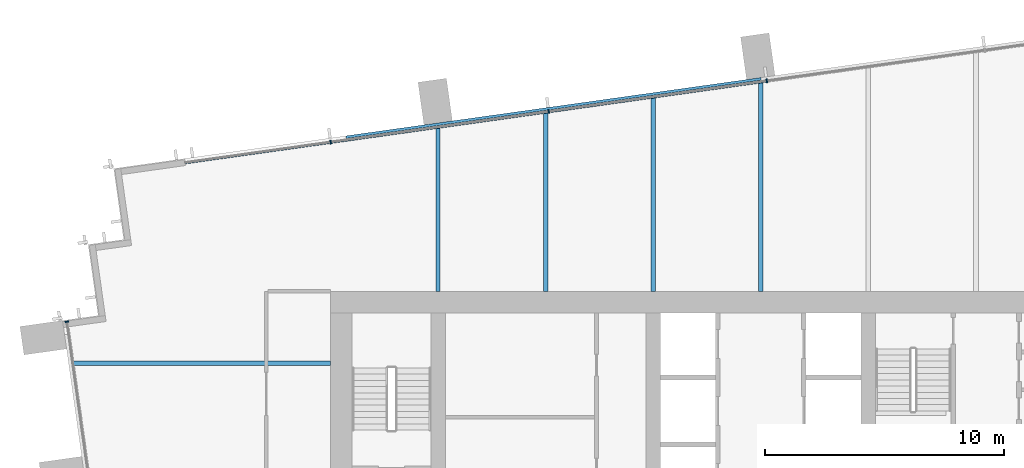
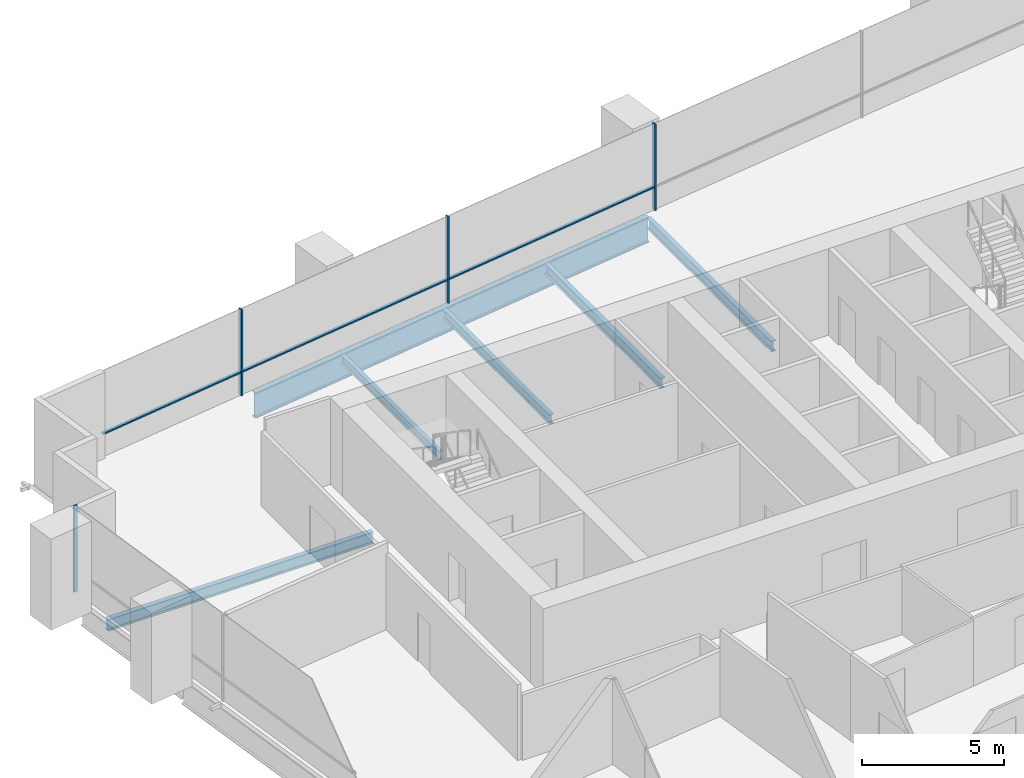
# One storey, part 6 of 14: 7 members, 6 beams, 2 elements without a shape of their own.
"""IFC4 building model written with IfcOpenShell, lengths in metres."""

import ifcopenshell
import ifcopenshell.guid

model = None  # the IFC model being written
_history = None  # IfcOwnerHistory: only IFC2X3 demands one
_inside = {}  # id of a spatial element -> (the spatial element, [elements in it])
_under = {}  # id of a project, library or spatial element -> (it, [spatial elements below it])
_declared = {}  # id of a project -> (the project, [libraries it declares])
_typed = {}  # id of a type object -> (the type object, [elements of that type])
_made_of = {}  # id of a material, layer set ... -> (it, [elements and type objects made of it])


def new_model(schema):
    """Start an empty IFC model of exactly this schema.

    Asked for "IFC4X3", IfcOpenShell would pick the latest addendum, in which some entities
    have other attributes; the version numbers below select the first issue.
    IFC2X3 requires an IfcOwnerHistory on every rooted entity: one is made here for all.
    """
    global model, _history
    if schema == "IFC4X3":
        model = ifcopenshell.file(schema_version=(4, 3, 0, 0))
    else:
        model = ifcopenshell.file(schema=schema)
    _inside.clear()
    _under.clear()
    _declared.clear()
    _typed.clear()
    _made_of.clear()
    _history = None
    if model.schema == "IFC2X3":
        org = make("IfcOrganization", Name="unknown")
        user = make(
            "IfcPersonAndOrganization",
            ThePerson=make("IfcPerson", FamilyName="unknown"),
            TheOrganization=org,
        )
        app = make(
            "IfcApplication",
            ApplicationDeveloper=org,
            Version="unknown",
            ApplicationFullName="unknown",
            ApplicationIdentifier="unknown",
        )
        _history = make(
            "IfcOwnerHistory",
            OwningUser=user,
            OwningApplication=app,
            ChangeAction="ADDED",
            CreationDate=0,
        )
    return model


def make(cls, **values):
    """One entity of the class cls with the attributes given. An attribute that is None is left unset."""
    return model.create_entity(
        cls, **{name: value for name, value in values.items() if value is not None}
    )


def rooted(cls, **values):
    """An entity with a GlobalId (a new one), such as an element, a storey or a relation."""
    return make(cls, GlobalId=ifcopenshell.guid.new(), OwnerHistory=_history, **values)


def si_unit(unit_type, name, prefix=None):
    """IfcSIUnit, for example si_unit("LENGTHUNIT", "METRE", prefix="MILLI")."""
    return make("IfcSIUnit", UnitType=unit_type, Prefix=prefix, Name=name)


def assignment(units):
    """IfcUnitAssignment: the units of a project."""
    return None if units is None else make("IfcUnitAssignment", Units=units)


def point(xyz):
    """IfcCartesianPoint."""
    return None if xyz is None else make("IfcCartesianPoint", Coordinates=xyz)


def direction(xyz):
    """IfcDirection."""
    return None if xyz is None else make("IfcDirection", DirectionRatios=xyz)


def frame(location, z_axis=None, x_axis=None):
    """IfcAxis2Placement3D, a coordinate frame: its origin and axes. An axis left out is left unset."""
    return make(
        "IfcAxis2Placement3D",
        Location=point(location),
        Axis=direction(z_axis),
        RefDirection=direction(x_axis),
    )


def frame_2d(location, x_axis=None):
    """IfcAxis2Placement2D, a coordinate frame in the plane: its origin and x axis."""
    return make(
        "IfcAxis2Placement2D", Location=point(location), RefDirection=direction(x_axis)
    )


def origin():
    """The frame at (0, 0, 0) with its axes left unset."""
    return frame((0.0, 0.0, 0.0))


def origin_2d():
    """The frame at (0, 0) in the plane with its x axis left unset."""
    return frame_2d((0.0, 0.0))


def place(relative_to, where):
    """IfcLocalPlacement: puts the frame where relative to a parent placement (None: the world)."""
    return make(
        "IfcLocalPlacement", PlacementRelTo=relative_to, RelativePlacement=where
    )


def context(
    kind, dimensions, precision=None, world=None, true_north=None, identifier=None
):
    """IfcGeometricRepresentationContext, for example the 3D "Model" context."""
    return make(
        "IfcGeometricRepresentationContext",
        ContextIdentifier=identifier,
        ContextType=kind,
        CoordinateSpaceDimension=dimensions,
        Precision=precision,
        WorldCoordinateSystem=world,
        TrueNorth=true_north,
    )


def subcontext(parent, identifier, kind, view, scale=None):
    """IfcGeometricRepresentationSubContext, for example "Body" below "Model"."""
    return make(
        "IfcGeometricRepresentationSubContext",
        ContextIdentifier=identifier,
        ContextType=kind,
        ParentContext=parent,
        TargetScale=scale,
        TargetView=view,
    )


def project(units=None, contexts=None):
    """IfcProject with its units and contexts."""
    return rooted(
        "IfcProject",
        Name="project",
        RepresentationContexts=contexts,
        UnitsInContext=assignment(units),
    )


def spatial(cls, under=None, at=None, **own):
    """A site, building, storey or space (cls), placed at a placement, below another one or the project."""
    s = rooted(cls, ObjectPlacement=at, **own)
    if under is not None:
        _under.setdefault(under.id(), (under, []))[1].append(s)
    return s


def profile(cls, at=None, kind="AREA", **sizes):
    """A parametric profile (cls). Its sizes go by their IFC names, for example OverallWidth=200.0."""
    return make(cls, ProfileType=kind, Position=at, **sizes)


def rectangle(**sizes):
    """IfcRectangleProfileDef."""
    return profile("IfcRectangleProfileDef", **sizes)


def i_section(**sizes):
    """IfcIShapeProfileDef."""
    return profile("IfcIShapeProfileDef", **sizes)


def extrude(swept, where, along, depth):
    """IfcExtrudedAreaSolid: the profile swept, set in the frame where, extruded along a direction by depth."""
    return make(
        "IfcExtrudedAreaSolid",
        SweptArea=swept,
        Position=where,
        ExtrudedDirection=direction(along),
        Depth=depth,
    )


def shape(context_of_items, identifier, shape_type, items):
    """IfcShapeRepresentation: the items that make up one representation, for example the "Body"."""
    return make(
        "IfcShapeRepresentation",
        ContextOfItems=context_of_items,
        RepresentationIdentifier=identifier,
        RepresentationType=shape_type,
        Items=items,
    )


def material(Name=None, Category=None):
    """IfcMaterial."""
    return make("IfcMaterial", Name=Name, Category=Category)


def material_profile(
    of_material, cross_section, Name=None, Category=None, Priority=None
):
    """IfcMaterialProfile: a cross section and its material."""
    return make(
        "IfcMaterialProfile",
        Name=Name,
        Material=of_material,
        Profile=cross_section,
        Priority=Priority,
        Category=Category,
    )


def profile_set(profiles, Name=None, composite=None):
    """IfcMaterialProfileSet."""
    return make(
        "IfcMaterialProfileSet",
        Name=Name,
        MaterialProfiles=profiles,
        CompositeProfile=composite,
    )


def made_of(thing, what):
    """Note that an element or type object is made of a material, layer set ...; save() writes the relation."""
    if what is not None:
        _made_of.setdefault(what.id(), (what, []))[1].append(thing)
    return thing


def type_object(cls, material=None, **own):
    """A type object (cls), such as IfcWallType, which elements share."""
    return made_of(rooted(cls, **own), material)


def element(
    cls,
    number,
    at=None,
    inside=None,
    cuts=None,
    type_object=None,
    material=None,
    context=None,
    identifier="Body",
    shape_type=None,
    held_by="IfcProductDefinitionShape",
    body=None,
    shapes=None,
    **own,
):
    """One element of the class cls, such as IfcWall. Its Tag is "e" and its number.

    at: its placement. inside: the storey or other place that contains it. cuts: it is an
    opening in that element (IfcRelVoidsElement). A single representation is given by context,
    identifier, shape_type and body (its items); several are given by shapes. held_by: the class
    of the entity that holds the representations. save() writes the other relations.
    """
    e = rooted(cls, Tag="e%d" % number, ObjectPlacement=at, **own)
    if body is not None:
        shapes = [shape(context, identifier, shape_type, body)]
    if shapes is not None:
        e.Representation = make(held_by, Representations=shapes)
    if inside is not None:
        _inside.setdefault(inside.id(), (inside, []))[1].append(e)
    if cuts is not None:
        rooted(
            "IfcRelVoidsElement", RelatingBuildingElement=cuts, RelatedOpeningElement=e
        )
    if type_object is not None:
        _typed.setdefault(type_object.id(), (type_object, []))[1].append(e)
    return made_of(e, material)


def aggregate(whole, parts):
    """IfcRelAggregates: a whole, such as a stair, and the parts it consists of."""
    return rooted("IfcRelAggregates", RelatingObject=whole, RelatedObjects=parts)


def save(model, path):
    """Write the relations noted so far, then the file.

    IfcRelAggregates (storeys below a building ...), IfcRelContainedInSpatialStructure (elements
    in a storey), IfcRelDefinesByType, IfcRelAssociatesMaterial and IfcRelDeclares: one each for
    every whole, place, type object, material and project.
    """
    for whole, parts in _under.values():
        aggregate(whole, parts)
    for where, things in _inside.values():
        rooted(
            "IfcRelContainedInSpatialStructure",
            RelatedElements=things,
            RelatingStructure=where,
        )
    for kind, things in _typed.values():
        rooted("IfcRelDefinesByType", RelatedObjects=things, RelatingType=kind)
    for what, things in _made_of.values():
        rooted("IfcRelAssociatesMaterial", RelatedObjects=things, RelatingMaterial=what)
    for by, libraries in _declared.values():
        rooted("IfcRelDeclares", RelatingContext=by, RelatedDefinitions=libraries)
    model.write(path)


model = new_model("IFC4")

# Units and contexts
model_context = context("Model", 3, precision=1e-05, world=origin(), true_north=direction((0.0, 1.0)))
body_context = subcontext(model_context, "Body", "Model", "MODEL_VIEW")
ifc_project = project(units=[si_unit("LENGTHUNIT", "METRE"), si_unit("AREAUNIT", "SQUARE_METRE"), si_unit("VOLUMEUNIT", "CUBIC_METRE"), si_unit("PLANEANGLEUNIT", "RADIAN"), si_unit("MASSUNIT", "GRAM", prefix="KILO")], contexts=[model_context])

# Site, building, storey
site_placement = place(None, origin())
site = spatial("IfcSite", under=ifc_project, at=site_placement, CompositionType="ELEMENT")
building_placement = place(site_placement, origin())
building = spatial("IfcBuilding", under=site, at=building_placement, Name="Rattan Terrace Tower", CompositionType="ELEMENT")
storey_placement = place(building_placement, frame((0.0, 0.0, 184.10009765625)))
storey = spatial("IfcBuildingStorey", under=building, at=storey_placement, Name="L42", CompositionType="ELEMENT", Elevation=184.10009765625)

# Curtain wall, members
ifc_material_1 = material(Name="Aluminium and glass", Category="aluminium")
curtain_wall_type = type_object("IfcCurtainWallType", Name="Facade Unitised Curtain Wall", PredefinedType="NOTDEFINED", material=ifc_material_1)
curtain_wall_1_placement = place(storey_placement, origin())
curtain_wall_1 = element("IfcCurtainWall", 1, at=curtain_wall_1_placement, inside=storey, type_object=curtain_wall_type, Name="Curtain wall L42-2", PredefinedType="NOTDEFINED")
ifc_material_2 = material(Name="Aluminium", Category="aluminium")
ifc_material_profile_1 = material_profile(ifc_material_2, rectangle(XDim=0.06005859375, YDim=0.159912109375, at=origin_2d()), Name="Aluminium 60x160")
ifc_profile_set_1 = profile_set([ifc_material_profile_1], Name="Aluminium")
member_type_1 = type_object("IfcMemberType", Name="Facade CW Mullion 60x160", PredefinedType="MULLION", material=ifc_profile_set_1)
member_1_placement = place(storey_placement, frame((0.25, 16.3125, 0.0), z_axis=(0.0, 0.0, 1.0), x_axis=(-0.990269702686, -0.139161474347, 0.0)))
member_1 = element("IfcMember", 2, at=member_1_placement, type_object=member_type_1, Name="Mullion cwl-L42-002.3", PredefinedType="MULLION", context=body_context, shape_type="SweptSolid", body=[
    extrude(rectangle(XDim=0.06005859375, YDim=0.159912109375, at=origin_2d()), origin(), (0.0, 0.0, 1.0), 3.699951171875),
])
member_2_placement = place(storey_placement, frame((-8.873291015625, 15.0302734375, 0.0), z_axis=(0.0, 0.0, 1.0), x_axis=(-0.990269702686, -0.139161474347, 0.0)))
member_2 = element("IfcMember", 3, at=member_2_placement, type_object=member_type_1, Name="Mullion cwl-L42-002.4", PredefinedType="MULLION", context=body_context, shape_type="SweptSolid", body=[
    extrude(rectangle(XDim=0.06005859375, YDim=0.159912109375, at=origin_2d()), origin(), (0.0, 0.0, 1.0), 3.699951171875),
])
member_3_placement = place(storey_placement, frame((-17.996826171875, 13.748291015625, 0.0), z_axis=(0.0, 0.0, 1.0), x_axis=(-0.990269702686, -0.139161474347, 0.0)))
member_3 = element("IfcMember", 4, at=member_3_placement, type_object=member_type_1, Name="Mullion cwl-L42-002.5", PredefinedType="MULLION", context=body_context, shape_type="SweptSolid", body=[
    extrude(rectangle(XDim=0.06005859375, YDim=0.159912109375, at=origin_2d()), origin(), (0.0, 0.0, 1.0), 3.699951171875),
])

# Curtain wall, member
curtain_wall_2_placement = place(storey_placement, origin())
curtain_wall_2 = element("IfcCurtainWall", 5, at=curtain_wall_2_placement, inside=storey, type_object=curtain_wall_type, Name="Curtain wall L42-3", PredefinedType="NOTDEFINED")
member_4_placement = place(storey_placement, frame((-29.037109375, 6.2333984375, 0.0), z_axis=(0.0, 0.0, 1.0), x_axis=(0.139190856006, -0.99026557327, 0.0)))
member_4 = element("IfcMember", 6, at=member_4_placement, type_object=member_type_1, Name="Mullion cwl-L42-003.1", PredefinedType="MULLION", context=body_context, shape_type="SweptSolid", body=[
    extrude(rectangle(XDim=0.06005859375, YDim=0.159912109375, at=origin_2d()), origin(), (0.0, 0.0, 1.0), 3.699951171875),
])
aggregate(curtain_wall_2, [member_4])

# Member
ifc_material_3 = material(Name="Aluminium", Category="aluminium")
ifc_material_profile_2 = material_profile(ifc_material_3, rectangle(XDim=0.1201171875, YDim=0.06005859375, at=origin_2d()), Name="Aluminium 120x60")
ifc_profile_set_2 = profile_set([ifc_material_profile_2], Name="Aluminium")
member_type_2 = type_object("IfcMemberType", Name="Facade CW Transom 120x60", PredefinedType="USERDEFINED", material=ifc_profile_set_2)
member_5_placement = place(storey_placement, frame((0.22021484375, 16.308349609375, 1.0), z_axis=(-0.990267035849, -0.139180450171, 0.0), x_axis=(0.139180450171, -0.990267035849, 0.0)))
member_5 = element("IfcMember", 7, at=member_5_placement, type_object=member_type_2, Name="Transom cwl-L42-002.3", ObjectType="TRANSOM", PredefinedType="USERDEFINED", context=body_context, shape_type="SweptSolid", body=[
    extrude(rectangle(XDim=0.1201171875, YDim=0.06005859375, at=origin_2d()), origin(), (0.0, 0.0, 1.0), 9.153076171875),
])

member_6_placement = place(storey_placement, frame((-8.903076171875, 15.026123046875, 1.0), z_axis=(-0.990270711765, -0.139154293575, 0.0), x_axis=(0.139154293575, -0.990270711765, 0.0)))
member_6 = element("IfcMember", 8, at=member_6_placement, type_object=member_type_2, Name="Transom cwl-L42-002.4", ObjectType="TRANSOM", PredefinedType="USERDEFINED", context=body_context, shape_type="SweptSolid", body=[
    extrude(rectangle(XDim=0.1201171875, YDim=0.06005859375, at=origin_2d()), origin(), (0.0, 0.0, 1.0), 9.153076171875),
])

member_7_placement = place(storey_placement, frame((-18.0263671875, 13.744140625, 1.0), z_axis=(-0.990267752185, -0.139175353357, 0.0), x_axis=(0.139175353357, -0.990267752185, 0.0)))
member_7 = element("IfcMember", 9, at=member_7_placement, type_object=member_type_2, Name="Transom cwl-L42-002.5", ObjectType="TRANSOM", PredefinedType="USERDEFINED", context=body_context, shape_type="SweptSolid", body=[
    extrude(rectangle(XDim=0.1201171875, YDim=0.06005859375, at=origin_2d()), origin(), (0.0, 0.0, 1.0), 6.11865234375),
])

aggregate(curtain_wall_1, [member_1, member_2, member_3, member_5, member_6, member_7])

# Beams
ifc_material_4 = material(Name="Steel S460", Category="steel")
ifc_material_profile_3 = material_profile(ifc_material_4, i_section(OverallWidth=0.179931640625, OverallDepth=1.10009765625, WebThickness=0.01611328125, FlangeThickness=0.050048828125, at=origin_2d()), Name="PG 1100x180-16-50")
ifc_profile_set_3 = profile_set([ifc_material_profile_3], Name="Steel S460")
beam_type_1 = type_object("IfcBeamType", Name="Frame edge girder PG 1100x180-16-50", PredefinedType="SPANDREL", material=ifc_profile_set_3)
beam_1_placement = place(storey_placement, frame((-17.347900390625, 13.9208984375, -0.75), z_axis=(0.990273554652, 0.139134061096, 0.0), x_axis=(-0.139134061096, 0.990273554652, 0.0)))
element("IfcBeam", 10, at=beam_1_placement, inside=storey, type_object=beam_type_1, Name="gdr-L42-006", PredefinedType="SPANDREL", context=body_context, shape_type="SweptSolid", body=[
    extrude(i_section(OverallWidth=0.179931640625, OverallDepth=1.10009765625, WebThickness=0.01611328125, FlangeThickness=0.050048828125, at=origin_2d()), origin(), (0.0, 0.0, 1.0), 17.53125),
])
ifc_material_5 = material(Name="Steel S355", Category="steel")
ifc_material_profile_4 = material_profile(ifc_material_5, i_section(OverallWidth=0.169921875, OverallDepth=0.360107421875, WebThickness=0.008056640625, FlangeThickness=0.0126953125, FilletRadius=0.01806640625, at=origin_2d()), Name="IPE 360")
ifc_profile_set_4 = profile_set([ifc_material_profile_4], Name="Steel S355")
beam_type_2 = type_object("IfcBeamType", Name="Frame floor beam IPE 360", PredefinedType="JOIST", material=ifc_profile_set_4)
beam_2_placement = place(storey_placement, frame((-13.5, 7.5, -0.380126953125), z_axis=(0.0, 1.0, 0.0), x_axis=(-1.0, 0.0, 0.0)))
element("IfcBeam", 11, at=beam_2_placement, inside=storey, type_object=beam_type_2, Name="bm-L42-016", PredefinedType="JOIST", context=body_context, shape_type="SweptSolid", body=[
    extrude(i_section(OverallWidth=0.169921875, OverallDepth=0.360107421875, WebThickness=0.008056640625, FlangeThickness=0.0126953125, FilletRadius=0.01806640625, at=origin_2d()), origin(), (0.0, 0.0, 1.0), 6.85888671875),
])
ifc_material_6 = material(Name="Steel S355", Category="steel")
ifc_material_profile_5 = material_profile(ifc_material_6, i_section(OverallWidth=0.179931640625, OverallDepth=0.39990234375, WebThickness=0.008544921875, FlangeThickness=0.013427734375, FilletRadius=0.02099609375, at=origin_2d()), Name="IPE 400")
ifc_profile_set_5 = profile_set([ifc_material_profile_5], Name="Steel S355")
beam_type_3 = type_object("IfcBeamType", Name="Frame floor beam IPE 400", PredefinedType="JOIST", material=ifc_profile_set_5)
beam_3_placement = place(storey_placement, frame((-9.0, 7.5, -0.400146484375), z_axis=(0.0, 1.0, 0.0), x_axis=(-1.0, 0.0, 0.0)))
element("IfcBeam", 12, at=beam_3_placement, inside=storey, type_object=beam_type_3, Name="bm-L42-017", PredefinedType="JOIST", context=body_context, shape_type="SweptSolid", body=[
    extrude(i_section(OverallWidth=0.179931640625, OverallDepth=0.39990234375, WebThickness=0.008544921875, FlangeThickness=0.013427734375, FilletRadius=0.02099609375, at=origin_2d()), origin(), (0.0, 0.0, 1.0), 7.489990234375),
])
ifc_material_7 = material(Name="Steel S355", Category="steel")
ifc_material_profile_6 = material_profile(ifc_material_7, i_section(OverallWidth=0.18994140625, OverallDepth=0.449951171875, WebThickness=0.009521484375, FlangeThickness=0.0146484375, FilletRadius=0.02099609375, at=origin_2d()), Name="IPE 450")
ifc_profile_set_6 = profile_set([ifc_material_profile_6], Name="Steel S355")
beam_type_4 = type_object("IfcBeamType", Name="Frame floor beam IPE 450", PredefinedType="JOIST", material=ifc_profile_set_6)
beam_4_placement = place(storey_placement, frame((-4.5, 7.5, -0.425048828125), z_axis=(0.0, 1.0, 0.0), x_axis=(-1.0, 0.0, 0.0)))
element("IfcBeam", 13, at=beam_4_placement, inside=storey, type_object=beam_type_4, Name="bm-L42-018", PredefinedType="JOIST", context=body_context, shape_type="SweptSolid", body=[
    extrude(i_section(OverallWidth=0.18994140625, OverallDepth=0.449951171875, WebThickness=0.009521484375, FlangeThickness=0.0146484375, FilletRadius=0.02099609375, at=origin_2d()), origin(), (0.0, 0.0, 1.0), 8.1220703125),
])
beam_5_placement = place(storey_placement, frame((0.0, 7.5, -0.425048828125), z_axis=(0.0, 1.0, 0.0), x_axis=(-1.0, 0.0, 0.0)))
element("IfcBeam", 14, at=beam_5_placement, inside=storey, type_object=beam_type_4, Name="bm-L42-019", PredefinedType="JOIST", context=body_context, shape_type="SweptSolid", body=[
    extrude(i_section(OverallWidth=0.18994140625, OverallDepth=0.449951171875, WebThickness=0.009521484375, FlangeThickness=0.0146484375, FilletRadius=0.02099609375, at=origin_2d()), origin(), (0.0, 0.0, 1.0), 8.75390625),
])
ifc_material_8 = material(Name="Steel S355", Category="steel")
ifc_material_profile_7 = material_profile(ifc_material_8, i_section(OverallWidth=0.199951171875, OverallDepth=0.5, WebThickness=0.01025390625, FlangeThickness=0.01611328125, FilletRadius=0.02099609375, at=origin_2d()), Name="IPE 500")
ifc_profile_set_7 = profile_set([ifc_material_profile_7], Name="Steel S355")
beam_type_5 = type_object("IfcBeamType", Name="Frame floor beam IPE 500", PredefinedType="JOIST", material=ifc_profile_set_7)
beam_6_placement = place(storey_placement, frame((-28.77001953125, 4.5, -0.4501953125), z_axis=(1.0, 0.0, 0.0), x_axis=(0.0, 1.0, 0.0)))
element("IfcBeam", 15, at=beam_6_placement, inside=storey, type_object=beam_type_5, Name="bm-L42-014", PredefinedType="JOIST", context=body_context, shape_type="SweptSolid", body=[
    extrude(i_section(OverallWidth=0.199951171875, OverallDepth=0.5, WebThickness=0.01025390625, FlangeThickness=0.01611328125, FilletRadius=0.02099609375, at=origin_2d()), origin(), (0.0, 0.0, 1.0), 10.77001953125),
])

save(model, "model.ifc")
